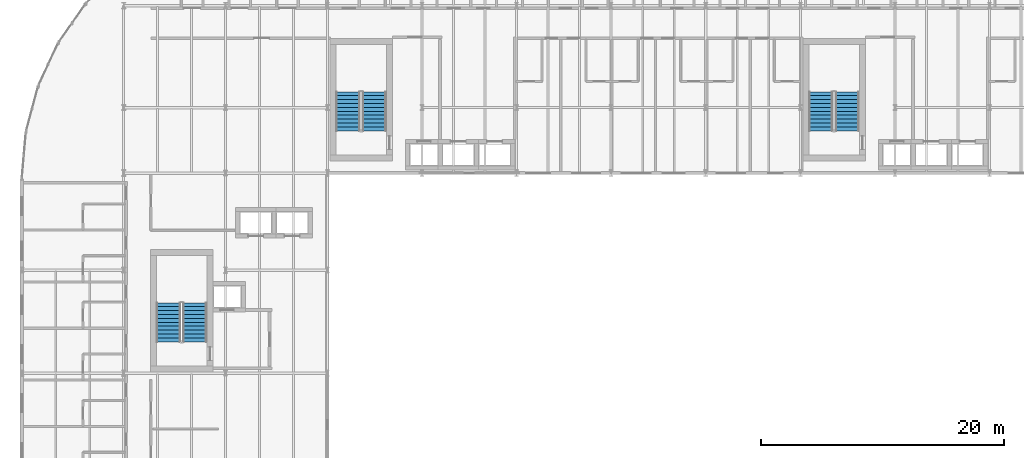
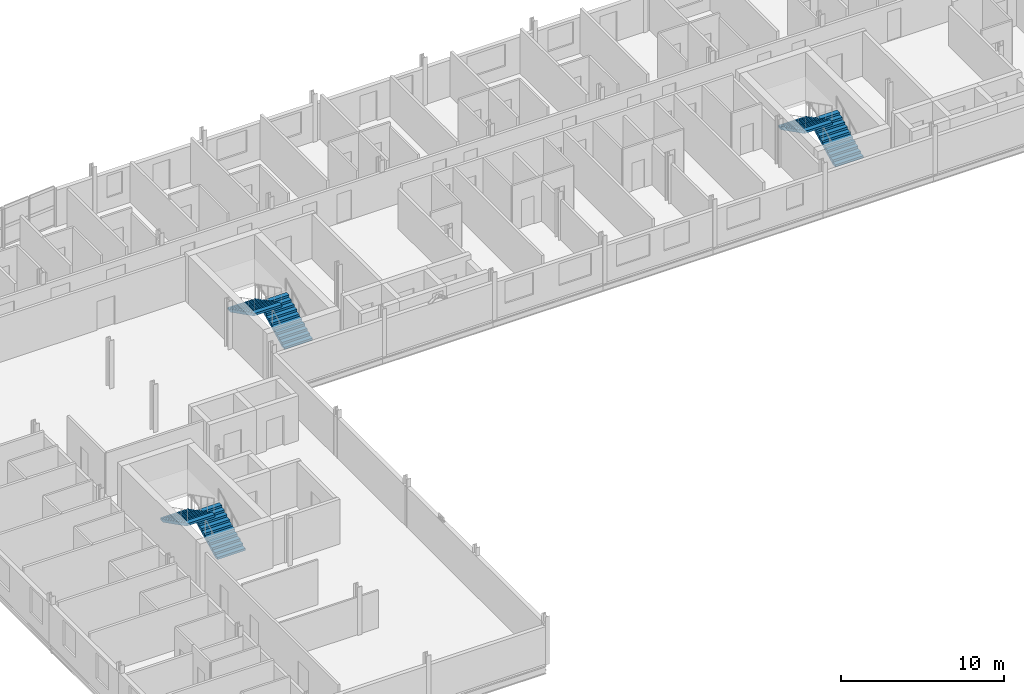
# One storey, part 31 of 34: 6 stair flights, 3 elements without a shape of their own.
"""IFC4 building model written with IfcOpenShell, lengths in metres."""

from ifc_helpers import new_model, si_unit, direction, frame, origin, place, context, subcontext, project, spatial, polyline, outline, extrude, material, type_object, element, aggregate, save


model = new_model("IFC4")

# Units and contexts
model_context = context("Model", 3, precision=1e-05, world=origin(), true_north=direction((0.0, 1.0)))
body_context = subcontext(model_context, "Body", "Model", "MODEL_VIEW")
ifc_project = project(units=[si_unit("LENGTHUNIT", "METRE"), si_unit("AREAUNIT", "SQUARE_METRE"), si_unit("VOLUMEUNIT", "CUBIC_METRE"), si_unit("PLANEANGLEUNIT", "RADIAN"), si_unit("MASSUNIT", "GRAM", prefix="KILO")], contexts=[model_context])

# Site, building, storey
site_placement = place(None, origin())
site = spatial("IfcSite", under=ifc_project, at=site_placement, CompositionType="ELEMENT")
building_placement = place(site_placement, origin())
building = spatial("IfcBuilding", under=site, at=building_placement, Name="Sefraquen Railside Congress Hotel", CompositionType="ELEMENT")
storey_placement = place(building_placement, frame((0.0, 0.0, 31.800048828125)))
storey = spatial("IfcBuildingStorey", under=building, at=storey_placement, Name="L07", CompositionType="ELEMENT", Elevation=31.800048828125)

# Stair, stair flights
ifc_material = material(Name="Concrete C40/50", Category="concrete")
stair_type_1 = type_object("IfcStairType", Name="TST-DOG-198-360", PredefinedType="HALF_TURN_STAIR", material=ifc_material)
stair_1_placement = place(storey_placement, origin())
stair_1 = element("IfcStair", 1, at=stair_1_placement, inside=storey, type_object=stair_type_1, Name="L07 Pressurized escape stair ST-H01", PredefinedType="HALF_TURN_STAIR")
stair_flight_type_1 = type_object("IfcStairFlightType", Name="TSF-FLT-198-360", PredefinedType="STRAIGHT", material=ifc_material)
stair_flight_1_placement = place(storey_placement, frame((14.27001953125, 82.080078125, 0.0), z_axis=(0.0, 0.0, 1.0), x_axis=(0.0, 1.0, 0.0)))
stair_flight_1 = element("IfcStairFlight", 2, at=stair_flight_1_placement, type_object=stair_flight_type_1, Name="ST-H01 flight 1", NumberOfRisers=11, NumberOfTreads=10, PredefinedType="STRAIGHT", RiserHeight=0.163636364, TreadLength=0.322, context=body_context, shape_type="SweptSolid", body=[
    extrude(outline(polyline([(0.0, 0.0), (0.0, 0.16357421875), (0.322021484375, 0.16357421875), (0.322021484375, 0.327392578125), (0.64404296875, 0.327392578125), (0.64404296875, 0.490966796875), (0.966064453125, 0.490966796875), (0.966064453125, 0.654541015625), (1.2880859375, 0.654541015625), (1.2880859375, 0.818115234375), (1.610107421875, 0.818115234375), (1.610107421875, 0.98193359375), (1.931884765625, 0.98193359375), (1.931884765625, 1.1455078125), (2.25390625, 1.1455078125), (2.25390625, 1.30908203125), (2.575927734375, 1.30908203125), (2.575927734375, 1.47265625), (2.89794921875, 1.47265625), (2.89794921875, 1.636474609375), (3.219970703125, 1.636474609375), (3.219970703125, 1.800048828125), (3.219970703125, 1.46826171875), (0.330810546875, 0.0), (0.0, 0.0)])), frame((0.0, 0.989990234375, 0.0), z_axis=(0.0, -1.0, 0.0), x_axis=(1.0, 0.0, 0.0)), (0.0, 0.0, 1.0), 1.97998046875),
])
stair_flight_2_placement = place(storey_placement, frame((12.090087890625, 85.300048828125, 1.800048828125), z_axis=(0.0, 0.0, 1.0), x_axis=(0.0, -1.0, 0.0)))
stair_flight_2 = element("IfcStairFlight", 3, at=stair_flight_2_placement, type_object=stair_flight_type_1, Name="ST-H01 flight 2", NumberOfRisers=11, NumberOfTreads=10, PredefinedType="STRAIGHT", RiserHeight=0.163636364, TreadLength=0.322, context=body_context, shape_type="SweptSolid", body=[
    extrude(outline(polyline([(0.0, 0.0), (0.0, 0.16357421875), (0.322021484375, 0.16357421875), (0.322021484375, 0.327392578125), (0.64404296875, 0.327392578125), (0.64404296875, 0.490966796875), (0.966064453125, 0.490966796875), (0.966064453125, 0.654541015625), (1.2880859375, 0.654541015625), (1.2880859375, 0.818115234375), (1.610107421875, 0.818115234375), (1.610107421875, 0.98193359375), (1.931884765625, 0.98193359375), (1.931884765625, 1.1455078125), (2.25390625, 1.1455078125), (2.25390625, 1.30908203125), (2.575927734375, 1.30908203125), (2.575927734375, 1.47265625), (2.89794921875, 1.47265625), (2.89794921875, 1.636474609375), (3.219970703125, 1.636474609375), (3.219970703125, 1.800048828125), (3.219970703125, 1.46826171875), (0.330810546875, 0.0), (0.0, 0.0)])), frame((0.0, 0.989990234375, 0.0), z_axis=(0.0, -1.0, 0.0), x_axis=(1.0, 0.0, 0.0)), (0.0, 0.0, 1.0), 1.97998046875),
])
aggregate(stair_1, [stair_flight_1, stair_flight_2])

stair_type_2 = type_object("IfcStairType", Name="TST-DOG-198-420", PredefinedType="HALF_TURN_STAIR", material=ifc_material)
stair_2_placement = place(storey_placement, origin())
stair_2 = element("IfcStair", 4, at=stair_2_placement, inside=storey, type_object=stair_type_2, Name="L07 Pressurized escape stair ST-H02", PredefinedType="HALF_TURN_STAIR")
stair_flight_type_2 = type_object("IfcStairFlightType", Name="TSF-FLT-198-420", PredefinedType="STRAIGHT", material=ifc_material)
stair_flight_3_placement = place(storey_placement, frame((29.070068359375, 99.47998046875, 0.0), z_axis=(0.0, 0.0, 1.0), x_axis=(0.0, 1.0, 0.0)))
stair_flight_3 = element("IfcStairFlight", 5, at=stair_flight_3_placement, type_object=stair_flight_type_2, Name="ST-H02 flight 1", NumberOfRisers=11, NumberOfTreads=10, PredefinedType="STRAIGHT", RiserHeight=0.163636364, TreadLength=0.322, context=body_context, shape_type="SweptSolid", body=[
    extrude(outline(polyline([(0.0, 0.0), (0.0, 0.16357421875), (0.322021484375, 0.16357421875), (0.322021484375, 0.327392578125), (0.64404296875, 0.327392578125), (0.64404296875, 0.490966796875), (0.966064453125, 0.490966796875), (0.966064453125, 0.654541015625), (1.2880859375, 0.654541015625), (1.2880859375, 0.818115234375), (1.610107421875, 0.818115234375), (1.610107421875, 0.98193359375), (1.931884765625, 0.98193359375), (1.931884765625, 1.1455078125), (2.25390625, 1.1455078125), (2.25390625, 1.30908203125), (2.575927734375, 1.30908203125), (2.575927734375, 1.47265625), (2.89794921875, 1.47265625), (2.89794921875, 1.636474609375), (3.219970703125, 1.636474609375), (3.219970703125, 1.800048828125), (3.219970703125, 1.46826171875), (0.330810546875, 0.0), (0.0, 0.0)])), frame((0.0, 0.989990234375, 0.0), z_axis=(0.0, -1.0, 0.0), x_axis=(1.0, 0.0, 0.0)), (0.0, 0.0, 1.0), 1.97998046875),
])
stair_flight_4_placement = place(storey_placement, frame((26.889892578125, 102.699951171875, 1.800048828125), z_axis=(0.0, 0.0, 1.0), x_axis=(0.0, -1.0, 0.0)))
stair_flight_4 = element("IfcStairFlight", 6, at=stair_flight_4_placement, type_object=stair_flight_type_2, Name="ST-H02 flight 2", NumberOfRisers=11, NumberOfTreads=10, PredefinedType="STRAIGHT", RiserHeight=0.163636364, TreadLength=0.322, context=body_context, shape_type="SweptSolid", body=[
    extrude(outline(polyline([(0.0, 0.0), (0.0, 0.16357421875), (0.322021484375, 0.16357421875), (0.322021484375, 0.327392578125), (0.64404296875, 0.327392578125), (0.64404296875, 0.490966796875), (0.966064453125, 0.490966796875), (0.966064453125, 0.654541015625), (1.2880859375, 0.654541015625), (1.2880859375, 0.818115234375), (1.610107421875, 0.818115234375), (1.610107421875, 0.98193359375), (1.931884765625, 0.98193359375), (1.931884765625, 1.1455078125), (2.25390625, 1.1455078125), (2.25390625, 1.30908203125), (2.575927734375, 1.30908203125), (2.575927734375, 1.47265625), (2.89794921875, 1.47265625), (2.89794921875, 1.636474609375), (3.219970703125, 1.636474609375), (3.219970703125, 1.800048828125), (3.219970703125, 1.46826171875), (0.330810546875, 0.0), (0.0, 0.0)])), frame((0.0, 0.989990234375, 0.0), z_axis=(0.0, -1.0, 0.0), x_axis=(1.0, 0.0, 0.0)), (0.0, 0.0, 1.0), 1.97998046875),
])
aggregate(stair_2, [stair_flight_3, stair_flight_4])

stair_type_3 = type_object("IfcStairType", Name="TST-DOG-198-450", PredefinedType="HALF_TURN_STAIR", material=ifc_material)
stair_3_placement = place(storey_placement, origin())
stair_3 = element("IfcStair", 7, at=stair_3_placement, inside=storey, type_object=stair_type_3, Name="L07 Pressurized escape stair ST-H03", PredefinedType="HALF_TURN_STAIR")
stair_flight_type_3 = type_object("IfcStairFlightType", Name="TSF-FLT-198-450", PredefinedType="STRAIGHT", material=ifc_material)
stair_flight_5_placement = place(storey_placement, frame((68.070068359375, 99.47998046875, 0.0), z_axis=(0.0, 0.0, 1.0), x_axis=(0.0, 1.0, 0.0)))
stair_flight_5 = element("IfcStairFlight", 8, at=stair_flight_5_placement, type_object=stair_flight_type_3, Name="ST-H03 flight 1", NumberOfRisers=11, NumberOfTreads=10, PredefinedType="STRAIGHT", RiserHeight=0.163636364, TreadLength=0.322, context=body_context, shape_type="SweptSolid", body=[
    extrude(outline(polyline([(0.0, 0.0), (0.0, 0.16357421875), (0.322021484375, 0.16357421875), (0.322021484375, 0.327392578125), (0.64404296875, 0.327392578125), (0.64404296875, 0.490966796875), (0.966064453125, 0.490966796875), (0.966064453125, 0.654541015625), (1.2880859375, 0.654541015625), (1.2880859375, 0.818115234375), (1.610107421875, 0.818115234375), (1.610107421875, 0.98193359375), (1.931884765625, 0.98193359375), (1.931884765625, 1.1455078125), (2.25390625, 1.1455078125), (2.25390625, 1.30908203125), (2.575927734375, 1.30908203125), (2.575927734375, 1.47265625), (2.89794921875, 1.47265625), (2.89794921875, 1.636474609375), (3.219970703125, 1.636474609375), (3.219970703125, 1.800048828125), (3.219970703125, 1.46826171875), (0.330810546875, 0.0), (0.0, 0.0)])), frame((0.0, 0.989990234375, 0.0), z_axis=(0.0, -1.0, 0.0), x_axis=(1.0, 0.0, 0.0)), (0.0, 0.0, 1.0), 1.97998046875),
])
stair_flight_6_placement = place(storey_placement, frame((65.889892578125, 102.699951171875, 1.800048828125), z_axis=(0.0, 0.0, 1.0), x_axis=(0.0, -1.0, 0.0)))
stair_flight_6 = element("IfcStairFlight", 9, at=stair_flight_6_placement, type_object=stair_flight_type_3, Name="ST-H03 flight 2", NumberOfRisers=11, NumberOfTreads=10, PredefinedType="STRAIGHT", RiserHeight=0.163636364, TreadLength=0.322, context=body_context, shape_type="SweptSolid", body=[
    extrude(outline(polyline([(0.0, 0.0), (0.0, 0.16357421875), (0.322021484375, 0.16357421875), (0.322021484375, 0.327392578125), (0.64404296875, 0.327392578125), (0.64404296875, 0.490966796875), (0.966064453125, 0.490966796875), (0.966064453125, 0.654541015625), (1.2880859375, 0.654541015625), (1.2880859375, 0.818115234375), (1.610107421875, 0.818115234375), (1.610107421875, 0.98193359375), (1.931884765625, 0.98193359375), (1.931884765625, 1.1455078125), (2.25390625, 1.1455078125), (2.25390625, 1.30908203125), (2.575927734375, 1.30908203125), (2.575927734375, 1.47265625), (2.89794921875, 1.47265625), (2.89794921875, 1.636474609375), (3.219970703125, 1.636474609375), (3.219970703125, 1.800048828125), (3.219970703125, 1.46826171875), (0.330810546875, 0.0), (0.0, 0.0)])), frame((0.0, 0.989990234375, 0.0), z_axis=(0.0, -1.0, 0.0), x_axis=(1.0, 0.0, 0.0)), (0.0, 0.0, 1.0), 1.97998046875),
])
aggregate(stair_3, [stair_flight_5, stair_flight_6])

save(model, "model.ifc")
